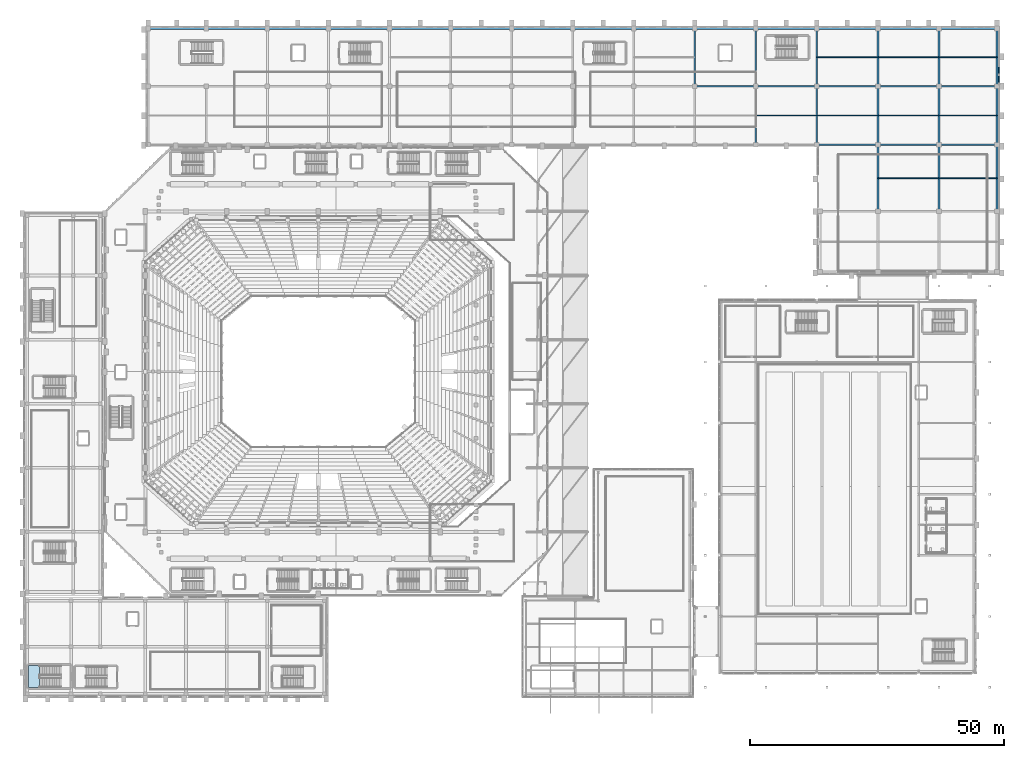
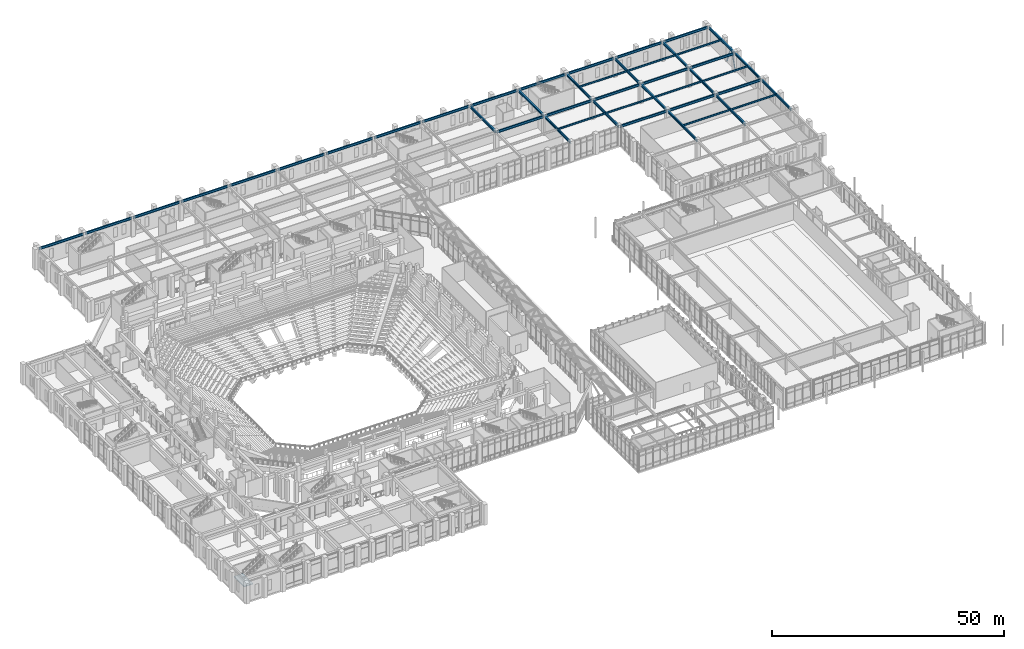
# One storey, part 83 of 159: 45 beams, 2 members, 1 slab, 1 element without a shape of its own.
"""IFC4 building model written with IfcOpenShell, lengths in metres."""

from ifc_helpers import new_model, si_unit, derived_unit, direction, frame, origin, origin_2d, place, context, subcontext, project, spatial, polyline, hollow_rectangle, i_section, outline, extrude, material, layer, layer_set, material_profile, profile_set, type_object, element, aggregate, save


model = new_model("IFC4")

# Units and contexts
model_context = context("Model", 3, precision=1e-05, world=origin(), true_north=direction((0.0, 1.0)))
body_context = subcontext(model_context, "Body", "Model", "MODEL_VIEW")
ifc_project = project(units=[si_unit("LENGTHUNIT", "METRE"), si_unit("AREAUNIT", "SQUARE_METRE"), si_unit("VOLUMEUNIT", "CUBIC_METRE"), si_unit("PLANEANGLEUNIT", "RADIAN"), si_unit("MASSUNIT", "GRAM", prefix="KILO"), derived_unit("THERMALTRANSMITTANCEUNIT", [(si_unit("MASSUNIT", "GRAM", prefix="KILO"), 1), (si_unit("TIMEUNIT", "SECOND"), -3), (si_unit("THERMODYNAMICTEMPERATUREUNIT", "KELVIN"), -1)])], contexts=[model_context])

# Site, building, storey
site_placement = place(None, origin())
site = spatial("IfcSite", under=ifc_project, at=site_placement, CompositionType="ELEMENT")
building_placement = place(site_placement, origin())
building = spatial("IfcBuilding", under=site, at=building_placement, Name="Valcora Ridge Arena", CompositionType="ELEMENT")
storey_placement = place(building_placement, frame((0.0, 0.0, 6.0)))
storey = spatial("IfcBuildingStorey", under=building, at=storey_placement, Name="L01", CompositionType="ELEMENT", Elevation=6.0)

# Beams
ifc_material_1 = material(Name="Steel ASTM A572 Grade 50", Category="steel")
ifc_material_profile_1 = material_profile(ifc_material_1, i_section(OverallWidth=0.324951171875, OverallDepth=0.612060546875, WebThickness=0.0126953125, FlangeThickness=0.01904296875, FilletRadius=0.01806640625, at=origin_2d()), Name="W24X104")
ifc_profile_set_1 = profile_set([ifc_material_profile_1], Name="Steel ASTM A572 Grade 50")
beam_type_1 = type_object("IfcBeamType", Name="TY-BEAM-G-W24X104-X", PredefinedType="BEAM", material=ifc_profile_set_1)
for number, where, z_axis, x_axis, name in (
    (1, (156.139892578125, 108.699951171875, 4.73388671875), (1.0, 0.0, 0.0), (0.0, 1.0, 0.0), "G-W24X104-X BEM-G-W24X104-X-0046"),
    (2, (168.139892578125, 108.699951171875, 4.73388671875), (1.0, 0.0, 0.0), (0.0, 1.0, 0.0), "G-W24X104-X BEM-G-W24X104-X-0047"),
):
    element("IfcBeam", number, at=place(storey_placement, frame(where, z_axis=z_axis, x_axis=x_axis)), inside=storey, type_object=beam_type_1, Name=name, PredefinedType="BEAM", context=body_context, shape_type="SweptSolid", body=[
        extrude(i_section(OverallWidth=0.324951171875, OverallDepth=0.612060546875, WebThickness=0.0126953125, FlangeThickness=0.01904296875, FilletRadius=0.01806640625, at=origin_2d()), origin(), (0.0, 0.0, 1.0), 11.72021484375),
    ])
beam_1_placement = place(storey_placement, frame((180.139892578125, 108.699951171875, 4.73388671875), z_axis=(1.0, 0.0, 0.0), x_axis=(0.0, 1.0, 0.0)))
element("IfcBeam", 3, at=beam_1_placement, inside=storey, type_object=beam_type_1, Name="G-W24X104-X BEM-G-W24X104-X-0048", PredefinedType="BEAM", context=body_context, shape_type="SweptSolid", body=[
    extrude(i_section(OverallWidth=0.324951171875, OverallDepth=0.612060546875, WebThickness=0.0126953125, FlangeThickness=0.01904296875, FilletRadius=0.01806640625, at=origin_2d()), origin(), (0.0, 0.0, 1.0), 11.1201171875),
])
for number, where, z_axis, x_axis, name in (
    (4, (132.139892578125, 120.199951171875, 4.73388671875), (1.0, 0.0, 0.0), (0.0, 1.0, 0.0), "G-W24X104-X BEM-G-W24X104-X-0058"),
    (5, (144.139892578125, 120.199951171875, 4.73388671875), (1.0, 0.0, 0.0), (0.0, 1.0, 0.0), "G-W24X104-X BEM-G-W24X104-X-0059"),
    (6, (156.139892578125, 120.199951171875, 4.73388671875), (1.0, 0.0, 0.0), (0.0, 1.0, 0.0), "G-W24X104-X BEM-G-W24X104-X-0060"),
    (7, (168.139892578125, 120.199951171875, 4.73388671875), (1.0, 0.0, 0.0), (0.0, 1.0, 0.0), "G-W24X104-X BEM-G-W24X104-X-0061"),
):
    element("IfcBeam", number, at=place(storey_placement, frame(where, z_axis=z_axis, x_axis=x_axis)), inside=storey, type_object=beam_type_1, Name=name, PredefinedType="BEAM", context=body_context, shape_type="SweptSolid", body=[
        extrude(i_section(OverallWidth=0.324951171875, OverallDepth=0.612060546875, WebThickness=0.0126953125, FlangeThickness=0.01904296875, FilletRadius=0.01806640625, at=origin_2d()), origin(), (0.0, 0.0, 1.0), 11.72021484375),
    ])
beam_2_placement = place(storey_placement, frame((180.139892578125, 120.199951171875, 4.73388671875), z_axis=(1.0, 0.0, 0.0), x_axis=(0.0, 1.0, 0.0)))
element("IfcBeam", 8, at=beam_2_placement, inside=storey, type_object=beam_type_1, Name="G-W24X104-X BEM-G-W24X104-X-0062", PredefinedType="BEAM", context=body_context, shape_type="SweptSolid", body=[
    extrude(i_section(OverallWidth=0.324951171875, OverallDepth=0.612060546875, WebThickness=0.0126953125, FlangeThickness=0.01904296875, FilletRadius=0.01806640625, at=origin_2d()), origin(), (0.0, 0.0, 1.0), 11.1201171875),
])
ifc_material_profile_2 = material_profile(ifc_material_1, i_section(OverallWidth=0.324951171875, OverallDepth=0.612060546875, WebThickness=0.0126953125, FlangeThickness=0.01904296875, FilletRadius=0.01806640625, at=origin_2d()), Name="W24X104")
ifc_profile_set_2 = profile_set([ifc_material_profile_2], Name="Steel ASTM A572 Grade 50")
beam_type_2 = type_object("IfcBeamType", Name="TY-BEAM-G-W24X104-Y", PredefinedType="BEAM", material=ifc_profile_set_2)
beam_3_placement = place(storey_placement, frame((132.0, 120.340087890625, 4.73388671875), z_axis=(0.0, 1.0, 0.0), x_axis=(-1.0, 0.0, 0.0)))
element("IfcBeam", 9, at=beam_3_placement, inside=storey, type_object=beam_type_2, Name="G-W24X104-Y BEM-G-W24X104-Y-0055", PredefinedType="BEAM", context=body_context, shape_type="SweptSolid", body=[
    extrude(i_section(OverallWidth=0.324951171875, OverallDepth=0.612060546875, WebThickness=0.0126953125, FlangeThickness=0.01904296875, FilletRadius=0.01806640625, at=origin_2d()), origin(), (0.0, 0.0, 1.0), 11.06982421875),
])
beam_4_placement = place(storey_placement, frame((144.0, 108.840087890625, 4.73388671875), z_axis=(0.0, 1.0, 0.0), x_axis=(-1.0, 0.0, 0.0)))
element("IfcBeam", 10, at=beam_4_placement, inside=storey, type_object=beam_type_2, Name="G-W24X104-Y BEM-G-W24X104-Y-0056", PredefinedType="BEAM", context=body_context, shape_type="SweptSolid", body=[
    extrude(i_section(OverallWidth=0.324951171875, OverallDepth=0.612060546875, WebThickness=0.0126953125, FlangeThickness=0.01904296875, FilletRadius=0.01806640625, at=origin_2d()), origin(), (0.0, 0.0, 1.0), 11.219970703125),
])
beam_5_placement = place(storey_placement, frame((144.0, 120.340087890625, 4.73388671875), z_axis=(0.0, 1.0, 0.0), x_axis=(-1.0, 0.0, 0.0)))
element("IfcBeam", 11, at=beam_5_placement, inside=storey, type_object=beam_type_2, Name="G-W24X104-Y BEM-G-W24X104-Y-0057", PredefinedType="BEAM", context=body_context, shape_type="SweptSolid", body=[
    extrude(i_section(OverallWidth=0.324951171875, OverallDepth=0.612060546875, WebThickness=0.0126953125, FlangeThickness=0.01904296875, FilletRadius=0.01806640625, at=origin_2d()), origin(), (0.0, 0.0, 1.0), 11.06982421875),
])
beam_6_placement = place(storey_placement, frame((156.0, 108.840087890625, 4.73388671875), z_axis=(0.0, 1.0, 0.0), x_axis=(-1.0, 0.0, 0.0)))
element("IfcBeam", 12, at=beam_6_placement, inside=storey, type_object=beam_type_2, Name="G-W24X104-Y BEM-G-W24X104-Y-0058", PredefinedType="BEAM", context=body_context, shape_type="SweptSolid", body=[
    extrude(i_section(OverallWidth=0.324951171875, OverallDepth=0.612060546875, WebThickness=0.0126953125, FlangeThickness=0.01904296875, FilletRadius=0.01806640625, at=origin_2d()), origin(), (0.0, 0.0, 1.0), 11.219970703125),
])
beam_7_placement = place(storey_placement, frame((156.0, 120.340087890625, 4.73388671875), z_axis=(0.0, 1.0, 0.0), x_axis=(-1.0, 0.0, 0.0)))
element("IfcBeam", 13, at=beam_7_placement, inside=storey, type_object=beam_type_2, Name="G-W24X104-Y BEM-G-W24X104-Y-0059", PredefinedType="BEAM", context=body_context, shape_type="SweptSolid", body=[
    extrude(i_section(OverallWidth=0.324951171875, OverallDepth=0.612060546875, WebThickness=0.0126953125, FlangeThickness=0.01904296875, FilletRadius=0.01806640625, at=origin_2d()), origin(), (0.0, 0.0, 1.0), 11.06982421875),
])
beam_8_placement = place(storey_placement, frame((168.0, 95.739990234375, 4.73388671875), z_axis=(0.0, 1.0, 0.0), x_axis=(-1.0, 0.0, 0.0)))
element("IfcBeam", 14, at=beam_8_placement, inside=storey, type_object=beam_type_2, Name="G-W24X104-Y BEM-G-W24X104-Y-0062", PredefinedType="BEAM", context=body_context, shape_type="SweptSolid", body=[
    extrude(i_section(OverallWidth=0.324951171875, OverallDepth=0.612060546875, WebThickness=0.0126953125, FlangeThickness=0.01904296875, FilletRadius=0.01806640625, at=origin_2d()), origin(), (0.0, 0.0, 1.0), 12.820068359375),
])
beam_9_placement = place(storey_placement, frame((168.0, 108.840087890625, 4.73388671875), z_axis=(0.0, 1.0, 0.0), x_axis=(-1.0, 0.0, 0.0)))
element("IfcBeam", 15, at=beam_9_placement, inside=storey, type_object=beam_type_2, Name="G-W24X104-Y BEM-G-W24X104-Y-0063", PredefinedType="BEAM", context=body_context, shape_type="SweptSolid", body=[
    extrude(i_section(OverallWidth=0.324951171875, OverallDepth=0.612060546875, WebThickness=0.0126953125, FlangeThickness=0.01904296875, FilletRadius=0.01806640625, at=origin_2d()), origin(), (0.0, 0.0, 1.0), 11.219970703125),
])
beam_10_placement = place(storey_placement, frame((168.0, 120.340087890625, 4.73388671875), z_axis=(0.0, 1.0, 0.0), x_axis=(-1.0, 0.0, 0.0)))
element("IfcBeam", 16, at=beam_10_placement, inside=storey, type_object=beam_type_2, Name="G-W24X104-Y BEM-G-W24X104-Y-0064", PredefinedType="BEAM", context=body_context, shape_type="SweptSolid", body=[
    extrude(i_section(OverallWidth=0.324951171875, OverallDepth=0.612060546875, WebThickness=0.0126953125, FlangeThickness=0.01904296875, FilletRadius=0.01806640625, at=origin_2d()), origin(), (0.0, 0.0, 1.0), 11.06982421875),
])
beam_11_placement = place(storey_placement, frame((180.0, 95.739990234375, 4.73388671875), z_axis=(0.0, 1.0, 0.0), x_axis=(-1.0, 0.0, 0.0)))
element("IfcBeam", 17, at=beam_11_placement, inside=storey, type_object=beam_type_2, Name="G-W24X104-Y BEM-G-W24X104-Y-0066", PredefinedType="BEAM", context=body_context, shape_type="SweptSolid", body=[
    extrude(i_section(OverallWidth=0.324951171875, OverallDepth=0.612060546875, WebThickness=0.0126953125, FlangeThickness=0.01904296875, FilletRadius=0.01806640625, at=origin_2d()), origin(), (0.0, 0.0, 1.0), 12.820068359375),
])
beam_12_placement = place(storey_placement, frame((180.0, 108.840087890625, 4.73388671875), z_axis=(0.0, 1.0, 0.0), x_axis=(-1.0, 0.0, 0.0)))
element("IfcBeam", 18, at=beam_12_placement, inside=storey, type_object=beam_type_2, Name="G-W24X104-Y BEM-G-W24X104-Y-0067", PredefinedType="BEAM", context=body_context, shape_type="SweptSolid", body=[
    extrude(i_section(OverallWidth=0.324951171875, OverallDepth=0.612060546875, WebThickness=0.0126953125, FlangeThickness=0.01904296875, FilletRadius=0.01806640625, at=origin_2d()), origin(), (0.0, 0.0, 1.0), 11.219970703125),
])
beam_13_placement = place(storey_placement, frame((180.0, 120.340087890625, 4.73388671875), z_axis=(0.0, 1.0, 0.0), x_axis=(-1.0, 0.0, 0.0)))
element("IfcBeam", 19, at=beam_13_placement, inside=storey, type_object=beam_type_2, Name="G-W24X104-Y BEM-G-W24X104-Y-0068", PredefinedType="BEAM", context=body_context, shape_type="SweptSolid", body=[
    extrude(i_section(OverallWidth=0.324951171875, OverallDepth=0.612060546875, WebThickness=0.0126953125, FlangeThickness=0.01904296875, FilletRadius=0.01806640625, at=origin_2d()), origin(), (0.0, 0.0, 1.0), 11.06982421875),
])
beam_14_placement = place(storey_placement, frame((191.39990234375, 95.739990234375, 4.73388671875), z_axis=(0.0, 1.0, 0.0), x_axis=(-1.0, 0.0, 0.0)))
element("IfcBeam", 20, at=beam_14_placement, inside=storey, type_object=beam_type_2, Name="G-W24X104-Y BEM-G-W24X104-Y-0070", PredefinedType="BEAM", context=body_context, shape_type="SweptSolid", body=[
    extrude(i_section(OverallWidth=0.324951171875, OverallDepth=0.612060546875, WebThickness=0.0126953125, FlangeThickness=0.01904296875, FilletRadius=0.01806640625, at=origin_2d()), origin(), (0.0, 0.0, 1.0), 12.820068359375),
])
beam_15_placement = place(storey_placement, frame((191.39990234375, 108.840087890625, 4.73388671875), z_axis=(0.0, 1.0, 0.0), x_axis=(-1.0, 0.0, 0.0)))
element("IfcBeam", 21, at=beam_15_placement, inside=storey, type_object=beam_type_2, Name="G-W24X104-Y BEM-G-W24X104-Y-0071", PredefinedType="BEAM", context=body_context, shape_type="SweptSolid", body=[
    extrude(i_section(OverallWidth=0.324951171875, OverallDepth=0.612060546875, WebThickness=0.0126953125, FlangeThickness=0.01904296875, FilletRadius=0.01806640625, at=origin_2d()), origin(), (0.0, 0.0, 1.0), 11.219970703125),
])
beam_16_placement = place(storey_placement, frame((191.39990234375, 120.340087890625, 4.73388671875), z_axis=(0.0, 1.0, 0.0), x_axis=(-1.0, 0.0, 0.0)))
element("IfcBeam", 22, at=beam_16_placement, inside=storey, type_object=beam_type_2, Name="G-W24X104-Y BEM-G-W24X104-Y-0072", PredefinedType="BEAM", context=body_context, shape_type="SweptSolid", body=[
    extrude(i_section(OverallWidth=0.324951171875, OverallDepth=0.612060546875, WebThickness=0.0126953125, FlangeThickness=0.01904296875, FilletRadius=0.01806640625, at=origin_2d()), origin(), (0.0, 0.0, 1.0), 11.06982421875),
])
ifc_material_profile_3 = material_profile(ifc_material_1, i_section(OverallWidth=0.18994140625, OverallDepth=0.45703125, WebThickness=0.009033203125, FlangeThickness=0.014404296875, FilletRadius=0.014892578125, at=origin_2d()), Name="W18X50")
ifc_profile_set_3 = profile_set([ifc_material_profile_3], Name="Steel ASTM A572 Grade 50")
beam_type_3 = type_object("IfcBeamType", Name="TY-BEAM-J-W18X50", PredefinedType="JOIST", material=ifc_profile_set_3)
for number, where, z_axis, x_axis, name in (
    (23, (144.10009765625, 114.449951171875, 4.8115234375), (1.0, 0.0, 0.0), (0.0, 1.0, 0.0), "J-W18X50 BEM-J-W18X50-0041"),
    (24, (156.10009765625, 114.449951171875, 4.8115234375), (1.0, 0.0, 0.0), (0.0, 1.0, 0.0), "J-W18X50 BEM-J-W18X50-0042"),
    (25, (156.10009765625, 125.875, 4.8115234375), (1.0, 0.0, 0.0), (0.0, 1.0, 0.0), "J-W18X50 BEM-J-W18X50-0043"),
    (26, (168.10009765625, 102.14990234375, 4.8115234375), (1.0, 0.0, 0.0), (0.0, 1.0, 0.0), "J-W18X50 BEM-J-W18X50-0046"),
    (27, (168.10009765625, 114.449951171875, 4.8115234375), (1.0, 0.0, 0.0), (0.0, 1.0, 0.0), "J-W18X50 BEM-J-W18X50-0047"),
    (28, (168.10009765625, 125.875, 4.8115234375), (1.0, 0.0, 0.0), (0.0, 1.0, 0.0), "J-W18X50 BEM-J-W18X50-0048"),
):
    element("IfcBeam", number, at=place(storey_placement, frame(where, z_axis=z_axis, x_axis=x_axis)), inside=storey, type_object=beam_type_3, Name=name, PredefinedType="JOIST", context=body_context, shape_type="SweptSolid", body=[
        extrude(i_section(OverallWidth=0.18994140625, OverallDepth=0.45703125, WebThickness=0.009033203125, FlangeThickness=0.014404296875, FilletRadius=0.014892578125, at=origin_2d()), origin(), (0.0, 0.0, 1.0), 11.7998046875),
    ])
for number, where, z_axis, x_axis, name in (
    (29, (180.10009765625, 102.14990234375, 4.8115234375), (1.0, 0.0, 0.0), (0.0, 1.0, 0.0), "J-W18X50 BEM-J-W18X50-0050"),
    (30, (180.10009765625, 114.449951171875, 4.8115234375), (1.0, 0.0, 0.0), (0.0, 1.0, 0.0), "J-W18X50 BEM-J-W18X50-0051"),
    (31, (180.10009765625, 125.875, 4.8115234375), (1.0, 0.0, 0.0), (0.0, 1.0, 0.0), "J-W18X50 BEM-J-W18X50-0052"),
):
    element("IfcBeam", number, at=place(storey_placement, frame(where, z_axis=z_axis, x_axis=x_axis)), inside=storey, type_object=beam_type_3, Name=name, PredefinedType="JOIST", context=body_context, shape_type="SweptSolid", body=[
        extrude(i_section(OverallWidth=0.18994140625, OverallDepth=0.45703125, WebThickness=0.009033203125, FlangeThickness=0.014404296875, FilletRadius=0.014892578125, at=origin_2d()), origin(), (0.0, 0.0, 1.0), 11.199951171875),
    ])
ifc_material_profile_4 = material_profile(ifc_material_1, i_section(OverallWidth=0.324951171875, OverallDepth=0.612060546875, WebThickness=0.0126953125, FlangeThickness=0.01904296875, FilletRadius=0.01806640625, at=origin_2d()), Name="W24X104")
ifc_profile_set_4 = profile_set([ifc_material_profile_4], Name="Steel ASTM A572 Grade 50")
beam_type_4 = type_object("IfcBeamType", Name="TY-BEAM-SP-W24X104", PredefinedType="SPANDREL", material=ifc_profile_set_4)
beam_17_placement = place(storey_placement, frame((24.739990234375, 131.550048828125, 4.73388671875), z_axis=(1.0, 0.0, 0.0), x_axis=(0.0, 1.0, 0.0)))
element("IfcBeam", 32, at=beam_17_placement, inside=storey, type_object=beam_type_4, Name="SP-W24X104 BEM-SP-W24X104-0021", PredefinedType="SPANDREL", context=body_context, shape_type="SweptSolid", body=[
    extrude(i_section(OverallWidth=0.324951171875, OverallDepth=0.612060546875, WebThickness=0.0126953125, FlangeThickness=0.01904296875, FilletRadius=0.01806640625, at=origin_2d()), origin(), (0.0, 0.0, 1.0), 11.1201171875),
])
for number, where, z_axis, x_axis, name in (
    (33, (36.139892578125, 131.550048828125, 4.73388671875), (1.0, 0.0, 0.0), (0.0, 1.0, 0.0), "SP-W24X104 BEM-SP-W24X104-0022"),
    (34, (48.139892578125, 131.550048828125, 4.73388671875), (1.0, 0.0, 0.0), (0.0, 1.0, 0.0), "SP-W24X104 BEM-SP-W24X104-0023"),
    (35, (60.139892578125, 131.550048828125, 4.73388671875), (1.0, 0.0, 0.0), (0.0, 1.0, 0.0), "SP-W24X104 BEM-SP-W24X104-0024"),
    (36, (72.139892578125, 131.550048828125, 4.73388671875), (1.0, 0.0, 0.0), (0.0, 1.0, 0.0), "SP-W24X104 BEM-SP-W24X104-0025"),
    (37, (84.139892578125, 131.550048828125, 4.73388671875), (1.0, 0.0, 0.0), (0.0, 1.0, 0.0), "SP-W24X104 BEM-SP-W24X104-0026"),
    (38, (96.139892578125, 131.550048828125, 4.73388671875), (1.0, 0.0, 0.0), (0.0, 1.0, 0.0), "SP-W24X104 BEM-SP-W24X104-0027"),
    (39, (108.139892578125, 131.550048828125, 4.73388671875), (1.0, 0.0, 0.0), (0.0, 1.0, 0.0), "SP-W24X104 BEM-SP-W24X104-0028"),
    (40, (120.139892578125, 131.550048828125, 4.73388671875), (1.0, 0.0, 0.0), (0.0, 1.0, 0.0), "SP-W24X104 BEM-SP-W24X104-0029"),
    (41, (132.139892578125, 131.550048828125, 4.73388671875), (1.0, 0.0, 0.0), (0.0, 1.0, 0.0), "SP-W24X104 BEM-SP-W24X104-0030"),
    (42, (144.139892578125, 131.550048828125, 4.73388671875), (1.0, 0.0, 0.0), (0.0, 1.0, 0.0), "SP-W24X104 BEM-SP-W24X104-0031"),
    (43, (156.139892578125, 131.550048828125, 4.73388671875), (1.0, 0.0, 0.0), (0.0, 1.0, 0.0), "SP-W24X104 BEM-SP-W24X104-0032"),
    (44, (168.139892578125, 131.550048828125, 4.73388671875), (1.0, 0.0, 0.0), (0.0, 1.0, 0.0), "SP-W24X104 BEM-SP-W24X104-0033"),
):
    element("IfcBeam", number, at=place(storey_placement, frame(where, z_axis=z_axis, x_axis=x_axis)), inside=storey, type_object=beam_type_4, Name=name, PredefinedType="SPANDREL", context=body_context, shape_type="SweptSolid", body=[
        extrude(i_section(OverallWidth=0.324951171875, OverallDepth=0.612060546875, WebThickness=0.0126953125, FlangeThickness=0.01904296875, FilletRadius=0.01806640625, at=origin_2d()), origin(), (0.0, 0.0, 1.0), 11.72021484375),
    ])
beam_18_placement = place(storey_placement, frame((180.139892578125, 131.550048828125, 4.73388671875), z_axis=(1.0, 0.0, 0.0), x_axis=(0.0, 1.0, 0.0)))
element("IfcBeam", 45, at=beam_18_placement, inside=storey, type_object=beam_type_4, Name="SP-W24X104 BEM-SP-W24X104-0034", PredefinedType="SPANDREL", context=body_context, shape_type="SweptSolid", body=[
    extrude(i_section(OverallWidth=0.324951171875, OverallDepth=0.612060546875, WebThickness=0.0126953125, FlangeThickness=0.01904296875, FilletRadius=0.01806640625, at=origin_2d()), origin(), (0.0, 0.0, 1.0), 11.1201171875),
])

# Members
ifc_material_2 = material(Name="Steel ASTM A500 Grade C", Category="steel")
ifc_material_profile_5 = material_profile(ifc_material_2, hollow_rectangle(XDim=0.199951171875, YDim=0.199951171875, WallThickness=0.012451171875, at=origin_2d()), Name="HSS200X200X12")
ifc_profile_set_5 = profile_set([ifc_material_profile_5], Name="Steel ASTM A500 Grade C")
member_type_1 = type_object("IfcMemberType", Name="TY-MEMBER-CBF-200A", PredefinedType="BRACE", material=ifc_profile_set_5)
member_1_placement = place(storey_placement, frame((191.780029296875, 120.699951171875, 0.02001953125), z_axis=(0.0, 0.338796457083, 0.940859692339), x_axis=(-1.0, 0.0, 0.0)))
element("IfcMember", 46, at=member_1_placement, inside=storey, type_object=member_type_1, Name="CBF-200A Diagonal Brace", PredefinedType="BRACE", context=body_context, shape_type="SweptSolid", body=[
    extrude(hollow_rectangle(XDim=0.199951171875, YDim=0.199951171875, WallThickness=0.012451171875, at=origin_2d()), origin(), (0.0, 0.0, 1.0), 5.165283203125),
])
ifc_material_profile_6 = material_profile(ifc_material_2, hollow_rectangle(XDim=0.199951171875, YDim=0.199951171875, WallThickness=0.012451171875, at=origin_2d()), Name="HSS200X200X12")
ifc_profile_set_6 = profile_set([ifc_material_profile_6], Name="Steel ASTM A500 Grade C")
member_type_2 = type_object("IfcMemberType", Name="TY-MEMBER-CBF-200B", PredefinedType="BRACE", material=ifc_profile_set_6)
member_2_placement = place(storey_placement, frame((191.780029296875, 124.199951171875, 0.02001953125), z_axis=(0.0, -0.338796457083, 0.940859692339), x_axis=(1.0, 0.0, 0.0)))
element("IfcMember", 47, at=member_2_placement, inside=storey, type_object=member_type_2, Name="CBF-200B Diagonal Brace", PredefinedType="BRACE", context=body_context, shape_type="SweptSolid", body=[
    extrude(hollow_rectangle(XDim=0.199951171875, YDim=0.199951171875, WallThickness=0.012451171875, at=origin_2d()), origin(), (0.0, 0.0, 1.0), 5.165283203125),
])

# Stair, slab
ifc_material_3 = material(Name="Concrete C40/50", Category="concrete")
stair_type = type_object("IfcStairType", Name="TY-STAIR-ST07-54", PredefinedType="HALF_TURN_STAIR", material=ifc_material_3)
stair_placement = place(storey_placement, origin())
stair = element("IfcStair", 48, at=stair_placement, inside=storey, type_object=stair_type, Name="ST07-54 STR-CR-0032", PredefinedType="HALF_TURN_STAIR")
ifc_layer = layer(ifc_material_3, 0.199951171875, Name="Concrete C40/50")
ifc_layer_set = layer_set([ifc_layer], Name="Concrete C40/50")
slab_type = type_object("IfcSlabType", Name="TY-LAND-ST07-54", PredefinedType="LANDING", material=ifc_layer_set)
slab_placement = place(storey_placement, frame((0.0, 0.0, 2.5)))
slab = element("IfcSlab", 49, at=slab_placement, type_object=slab_type, Name="ST07-54 landing 1", PredefinedType="LANDING", context=body_context, shape_type="SweptSolid", body=[
    extrude(outline(polyline([(1.001953125, 2.001953125), (3.22998046875, 2.001953125), (3.22998046875, 6.39794921875), (1.001953125, 6.39794921875), (1.001953125, 2.001953125)])), origin(), (0.0, 0.0, 1.0), 0.199951171875),
])
aggregate(stair, [slab])

save(model, "model.ifc")
